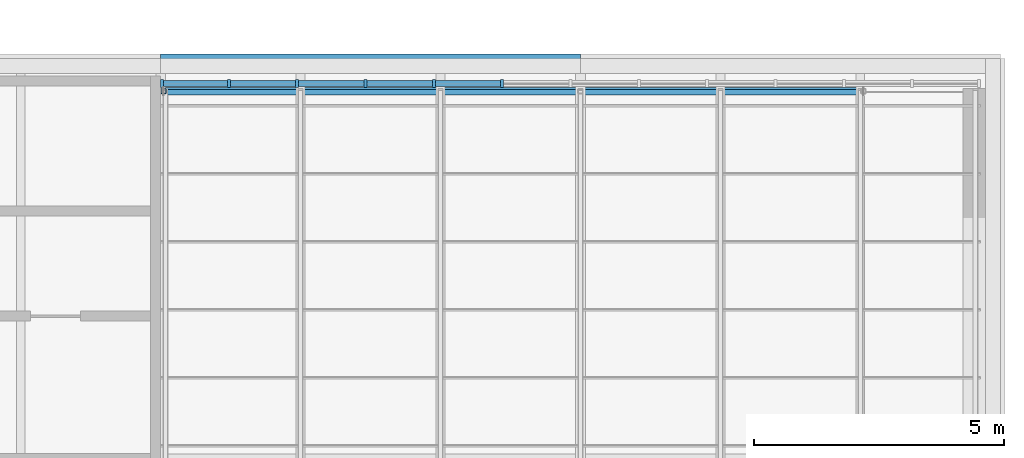
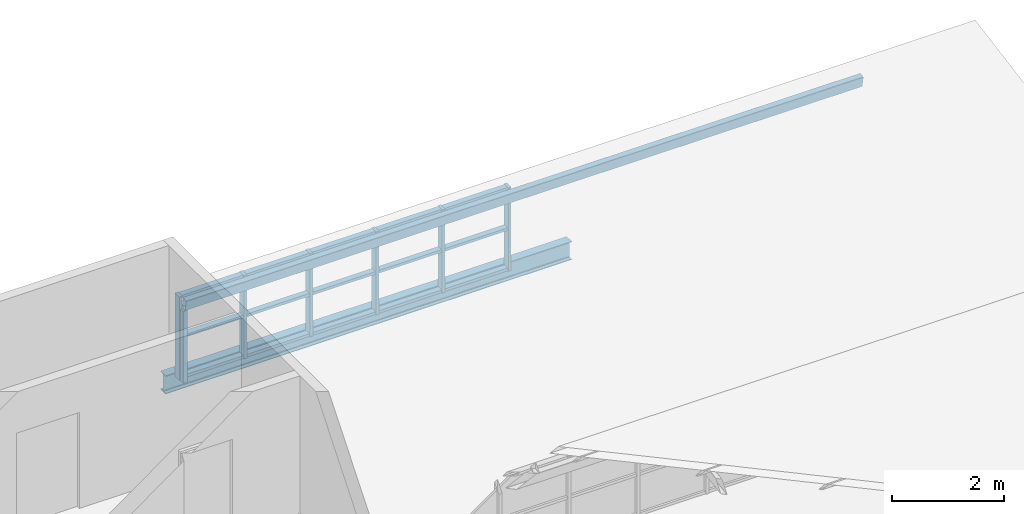
# One storey, part 12 of 33: 22 members, 2 beams, 1 element without a shape of its own.
"""IFC4 building model written with IfcOpenShell, lengths in metres."""

from ifc_helpers import new_model, si_unit, direction, frame, origin, origin_2d, place, context, subcontext, project, spatial, rectangle, hollow_rectangle, i_section, extrude, material, layer, layer_set, material_profile, profile_set, type_object, element, aggregate, save


model = new_model("IFC4")

# Units and contexts
model_context = context("Model", 3, precision=1e-05, world=origin(), true_north=direction((0.0, 1.0)))
body_context = subcontext(model_context, "Body", "Model", "MODEL_VIEW")
ifc_project = project(units=[si_unit("LENGTHUNIT", "METRE"), si_unit("AREAUNIT", "SQUARE_METRE"), si_unit("VOLUMEUNIT", "CUBIC_METRE"), si_unit("PLANEANGLEUNIT", "RADIAN"), si_unit("MASSUNIT", "GRAM", prefix="KILO")], contexts=[model_context])

# Site, building, storey
site_placement = place(None, origin())
site = spatial("IfcSite", under=ifc_project, at=site_placement, CompositionType="ELEMENT")
building_placement = place(site_placement, origin())
building = spatial("IfcBuilding", under=site, at=building_placement, Name="Ardhachandra Cancer Care Centre", CompositionType="ELEMENT")
storey_placement = place(building_placement, frame((0.0, 0.0, 27.0)))
storey = spatial("IfcBuildingStorey", under=building, at=storey_placement, Name="Roof", CompositionType="ELEMENT", Elevation=27.0)

# Beam
ifc_material_1 = material(Name="Steel E350 (IS 2062)", Category="steel")
ifc_material_profile_1 = material_profile(ifc_material_1, i_section(OverallWidth=0.179931640625, OverallDepth=0.39990234375, WebThickness=0.008544921875, FlangeThickness=0.013427734375, FilletRadius=0.02099609375, at=origin_2d()), Name="NPB 400x180x66.30")
ifc_profile_set_1 = profile_set([ifc_material_profile_1], Name="Steel E350 (IS 2062)")
beam_type_1 = type_object("IfcBeamType", Name="Beam NPB 400x180x66.30", PredefinedType="BEAM", material=ifc_profile_set_1)
beam_1_placement = place(storey_placement, frame((128.39990234375, 105.0, -0.39990234375), z_axis=(1.0, 0.0, 0.0), x_axis=(0.0, 1.0, 0.0)))
element("IfcBeam", 1, at=beam_1_placement, inside=storey, type_object=beam_type_1, Name="Edge girder M15-M16", PredefinedType="BEAM", context=body_context, shape_type="SweptSolid", body=[
    extrude(i_section(OverallWidth=0.179931640625, OverallDepth=0.39990234375, WebThickness=0.008544921875, FlangeThickness=0.013427734375, FilletRadius=0.02099609375, at=origin_2d()), origin(), (0.0, 0.0, 1.0), 8.400146484375),
])

# Curtain wall, members
ifc_material_2 = material(Name="Aluminium extrusion", Category="aluminium")
ifc_layer = layer(ifc_material_2, 0.14990234375)
ifc_layer_set = layer_set([ifc_layer], Name="Aluminium extrusion")
curtain_wall_type = type_object("IfcCurtainWallType", Name="Curtain wall run", PredefinedType="NOTDEFINED", material=ifc_layer_set)
curtain_wall_placement = place(storey_placement, origin())
curtain_wall = element("IfcCurtainWall", 2, at=curtain_wall_placement, inside=storey, type_object=curtain_wall_type, Name="Curtain wall Roof n/0128400_0104500", PredefinedType="NOTDEFINED")
ifc_material_3 = material(Name="Aluminium extrusion", Category="aluminium")
ifc_material_profile_2 = material_profile(ifc_material_3, rectangle(XDim=0.159912109375, YDim=0.06005859375, at=origin_2d()), Name="Curtain wall mullion 60 x 160")
ifc_profile_set_2 = profile_set([ifc_material_profile_2], Name="Aluminium extrusion")
member_type_1 = type_object("IfcMemberType", Name="Curtain wall mullion 60 x 160", PredefinedType="MULLION", material=ifc_profile_set_2)
member_1_placement = place(storey_placement, frame((128.429931640625, 104.5, 0.0), z_axis=(0.0, 0.0, 1.0), x_axis=(0.0, 1.0, 0.0)))
member_1 = element("IfcMember", 3, at=member_1_placement, type_object=member_type_1, Name="CW mullion 1", PredefinedType="MULLION", context=body_context, shape_type="SweptSolid", body=[
    extrude(rectangle(XDim=0.159912109375, YDim=0.06005859375, at=origin_2d()), origin(), (0.0, 0.0, 1.0), 1.820068359375),
])
member_2_placement = place(storey_placement, frame((129.7666015625, 104.5, 0.0), z_axis=(0.0, 0.0, 1.0), x_axis=(0.0, 1.0, 0.0)))
member_2 = element("IfcMember", 4, at=member_2_placement, type_object=member_type_1, Name="CW mullion 2", PredefinedType="MULLION", context=body_context, shape_type="SweptSolid", body=[
    extrude(rectangle(XDim=0.159912109375, YDim=0.06005859375, at=origin_2d()), origin(), (0.0, 0.0, 1.0), 1.820068359375),
])
member_3_placement = place(storey_placement, frame((131.13330078125, 104.5, 0.0), z_axis=(0.0, 0.0, 1.0), x_axis=(0.0, 1.0, 0.0)))
member_3 = element("IfcMember", 5, at=member_3_placement, type_object=member_type_1, Name="CW mullion 3", PredefinedType="MULLION", context=body_context, shape_type="SweptSolid", body=[
    extrude(rectangle(XDim=0.159912109375, YDim=0.06005859375, at=origin_2d()), origin(), (0.0, 0.0, 1.0), 1.820068359375),
])
member_4_placement = place(storey_placement, frame((132.5, 104.5, 0.0), z_axis=(0.0, 0.0, 1.0), x_axis=(0.0, 1.0, 0.0)))
member_4 = element("IfcMember", 6, at=member_4_placement, type_object=member_type_1, Name="CW mullion 4", PredefinedType="MULLION", context=body_context, shape_type="SweptSolid", body=[
    extrude(rectangle(XDim=0.159912109375, YDim=0.06005859375, at=origin_2d()), origin(), (0.0, 0.0, 1.0), 1.820068359375),
])
member_5_placement = place(storey_placement, frame((133.86669921875, 104.5, 0.0), z_axis=(0.0, 0.0, 1.0), x_axis=(0.0, 1.0, 0.0)))
member_5 = element("IfcMember", 7, at=member_5_placement, type_object=member_type_1, Name="CW mullion 5", PredefinedType="MULLION", context=body_context, shape_type="SweptSolid", body=[
    extrude(rectangle(XDim=0.159912109375, YDim=0.06005859375, at=origin_2d()), origin(), (0.0, 0.0, 1.0), 1.820068359375),
])
member_6_placement = place(storey_placement, frame((135.2333984375, 104.5, 0.0), z_axis=(0.0, 0.0, 1.0), x_axis=(0.0, 1.0, 0.0)))
member_6 = element("IfcMember", 8, at=member_6_placement, type_object=member_type_1, Name="CW mullion 6", PredefinedType="MULLION", context=body_context, shape_type="SweptSolid", body=[
    extrude(rectangle(XDim=0.159912109375, YDim=0.06005859375, at=origin_2d()), origin(), (0.0, 0.0, 1.0), 1.820068359375),
])
ifc_material_4 = material(Name="Aluminium extrusion", Category="aluminium")
ifc_material_profile_3 = material_profile(ifc_material_4, rectangle(XDim=0.1201171875, YDim=0.06005859375, at=origin_2d()), Name="Curtain wall transom 60 x 120")
ifc_profile_set_3 = profile_set([ifc_material_profile_3], Name="Aluminium extrusion")
member_type_2 = type_object("IfcMemberType", Name="Curtain wall transom 60 x 120", PredefinedType="USERDEFINED", material=ifc_profile_set_3)
member_7_placement = place(storey_placement, frame((128.4599609375, 104.5, 0.030029296875), z_axis=(1.0, 0.0, 0.0), x_axis=(0.0, 1.0, 0.0)))
member_7 = element("IfcMember", 9, at=member_7_placement, type_object=member_type_2, Name="CW transom 1.1", ObjectType="TRANSOM", PredefinedType="USERDEFINED", context=body_context, shape_type="SweptSolid", body=[
    extrude(rectangle(XDim=0.1201171875, YDim=0.06005859375, at=origin_2d()), origin(), (0.0, 0.0, 1.0), 1.276611328125),
])
member_8_placement = place(storey_placement, frame((128.4599609375, 104.5, 0.909912109375), z_axis=(1.0, 0.0, 0.0), x_axis=(0.0, 1.0, 0.0)))
member_8 = element("IfcMember", 10, at=member_8_placement, type_object=member_type_2, Name="CW transom 1.2", ObjectType="TRANSOM", PredefinedType="USERDEFINED", context=body_context, shape_type="SweptSolid", body=[
    extrude(rectangle(XDim=0.1201171875, YDim=0.06005859375, at=origin_2d()), origin(), (0.0, 0.0, 1.0), 1.276611328125),
])
member_9_placement = place(storey_placement, frame((128.4599609375, 104.5, 1.7900390625), z_axis=(1.0, 0.0, 0.0), x_axis=(0.0, 1.0, 0.0)))
member_9 = element("IfcMember", 11, at=member_9_placement, type_object=member_type_2, Name="CW transom 1.3", ObjectType="TRANSOM", PredefinedType="USERDEFINED", context=body_context, shape_type="SweptSolid", body=[
    extrude(rectangle(XDim=0.1201171875, YDim=0.06005859375, at=origin_2d()), origin(), (0.0, 0.0, 1.0), 1.276611328125),
])
member_10_placement = place(storey_placement, frame((129.796630859375, 104.5, 0.030029296875), z_axis=(1.0, 0.0, 0.0), x_axis=(0.0, 1.0, 0.0)))
member_10 = element("IfcMember", 12, at=member_10_placement, type_object=member_type_2, Name="CW transom 2.1", ObjectType="TRANSOM", PredefinedType="USERDEFINED", context=body_context, shape_type="SweptSolid", body=[
    extrude(rectangle(XDim=0.1201171875, YDim=0.06005859375, at=origin_2d()), origin(), (0.0, 0.0, 1.0), 1.306640625),
])
member_11_placement = place(storey_placement, frame((129.796630859375, 104.5, 0.909912109375), z_axis=(1.0, 0.0, 0.0), x_axis=(0.0, 1.0, 0.0)))
member_11 = element("IfcMember", 13, at=member_11_placement, type_object=member_type_2, Name="CW transom 2.2", ObjectType="TRANSOM", PredefinedType="USERDEFINED", context=body_context, shape_type="SweptSolid", body=[
    extrude(rectangle(XDim=0.1201171875, YDim=0.06005859375, at=origin_2d()), origin(), (0.0, 0.0, 1.0), 1.306640625),
])
member_12_placement = place(storey_placement, frame((129.796630859375, 104.5, 1.7900390625), z_axis=(1.0, 0.0, 0.0), x_axis=(0.0, 1.0, 0.0)))
member_12 = element("IfcMember", 14, at=member_12_placement, type_object=member_type_2, Name="CW transom 2.3", ObjectType="TRANSOM", PredefinedType="USERDEFINED", context=body_context, shape_type="SweptSolid", body=[
    extrude(rectangle(XDim=0.1201171875, YDim=0.06005859375, at=origin_2d()), origin(), (0.0, 0.0, 1.0), 1.306640625),
])
member_13_placement = place(storey_placement, frame((131.163330078125, 104.5, 0.030029296875), z_axis=(1.0, 0.0, 0.0), x_axis=(0.0, 1.0, 0.0)))
member_13 = element("IfcMember", 15, at=member_13_placement, type_object=member_type_2, Name="CW transom 3.1", ObjectType="TRANSOM", PredefinedType="USERDEFINED", context=body_context, shape_type="SweptSolid", body=[
    extrude(rectangle(XDim=0.1201171875, YDim=0.06005859375, at=origin_2d()), origin(), (0.0, 0.0, 1.0), 1.306640625),
])
member_14_placement = place(storey_placement, frame((131.163330078125, 104.5, 0.909912109375), z_axis=(1.0, 0.0, 0.0), x_axis=(0.0, 1.0, 0.0)))
member_14 = element("IfcMember", 16, at=member_14_placement, type_object=member_type_2, Name="CW transom 3.2", ObjectType="TRANSOM", PredefinedType="USERDEFINED", context=body_context, shape_type="SweptSolid", body=[
    extrude(rectangle(XDim=0.1201171875, YDim=0.06005859375, at=origin_2d()), origin(), (0.0, 0.0, 1.0), 1.306640625),
])
member_15_placement = place(storey_placement, frame((131.163330078125, 104.5, 1.7900390625), z_axis=(1.0, 0.0, 0.0), x_axis=(0.0, 1.0, 0.0)))
member_15 = element("IfcMember", 17, at=member_15_placement, type_object=member_type_2, Name="CW transom 3.3", ObjectType="TRANSOM", PredefinedType="USERDEFINED", context=body_context, shape_type="SweptSolid", body=[
    extrude(rectangle(XDim=0.1201171875, YDim=0.06005859375, at=origin_2d()), origin(), (0.0, 0.0, 1.0), 1.306640625),
])
member_16_placement = place(storey_placement, frame((132.530029296875, 104.5, 0.030029296875), z_axis=(1.0, 0.0, 0.0), x_axis=(0.0, 1.0, 0.0)))
member_16 = element("IfcMember", 18, at=member_16_placement, type_object=member_type_2, Name="CW transom 4.1", ObjectType="TRANSOM", PredefinedType="USERDEFINED", context=body_context, shape_type="SweptSolid", body=[
    extrude(rectangle(XDim=0.1201171875, YDim=0.06005859375, at=origin_2d()), origin(), (0.0, 0.0, 1.0), 1.306640625),
])
member_17_placement = place(storey_placement, frame((132.530029296875, 104.5, 0.909912109375), z_axis=(1.0, 0.0, 0.0), x_axis=(0.0, 1.0, 0.0)))
member_17 = element("IfcMember", 19, at=member_17_placement, type_object=member_type_2, Name="CW transom 4.2", ObjectType="TRANSOM", PredefinedType="USERDEFINED", context=body_context, shape_type="SweptSolid", body=[
    extrude(rectangle(XDim=0.1201171875, YDim=0.06005859375, at=origin_2d()), origin(), (0.0, 0.0, 1.0), 1.306640625),
])
member_18_placement = place(storey_placement, frame((132.530029296875, 104.5, 1.7900390625), z_axis=(1.0, 0.0, 0.0), x_axis=(0.0, 1.0, 0.0)))
member_18 = element("IfcMember", 20, at=member_18_placement, type_object=member_type_2, Name="CW transom 4.3", ObjectType="TRANSOM", PredefinedType="USERDEFINED", context=body_context, shape_type="SweptSolid", body=[
    extrude(rectangle(XDim=0.1201171875, YDim=0.06005859375, at=origin_2d()), origin(), (0.0, 0.0, 1.0), 1.306640625),
])
member_19_placement = place(storey_placement, frame((133.896728515625, 104.5, 0.030029296875), z_axis=(1.0, 0.0, 0.0), x_axis=(0.0, 1.0, 0.0)))
member_19 = element("IfcMember", 21, at=member_19_placement, type_object=member_type_2, Name="CW transom 5.1", ObjectType="TRANSOM", PredefinedType="USERDEFINED", context=body_context, shape_type="SweptSolid", body=[
    extrude(rectangle(XDim=0.1201171875, YDim=0.06005859375, at=origin_2d()), origin(), (0.0, 0.0, 1.0), 1.306640625),
])
member_20_placement = place(storey_placement, frame((133.896728515625, 104.5, 0.909912109375), z_axis=(1.0, 0.0, 0.0), x_axis=(0.0, 1.0, 0.0)))
member_20 = element("IfcMember", 22, at=member_20_placement, type_object=member_type_2, Name="CW transom 5.2", ObjectType="TRANSOM", PredefinedType="USERDEFINED", context=body_context, shape_type="SweptSolid", body=[
    extrude(rectangle(XDim=0.1201171875, YDim=0.06005859375, at=origin_2d()), origin(), (0.0, 0.0, 1.0), 1.306640625),
])
member_21_placement = place(storey_placement, frame((133.896728515625, 104.5, 1.7900390625), z_axis=(1.0, 0.0, 0.0), x_axis=(0.0, 1.0, 0.0)))
member_21 = element("IfcMember", 23, at=member_21_placement, type_object=member_type_2, Name="CW transom 5.3", ObjectType="TRANSOM", PredefinedType="USERDEFINED", context=body_context, shape_type="SweptSolid", body=[
    extrude(rectangle(XDim=0.1201171875, YDim=0.06005859375, at=origin_2d()), origin(), (0.0, 0.0, 1.0), 1.306640625),
])
aggregate(curtain_wall, [member_1, member_2, member_3, member_4, member_5, member_6, member_7, member_8, member_9, member_10, member_11, member_12, member_13, member_14, member_15, member_16, member_17, member_18, member_19, member_20, member_21])

# Beam
ifc_material_5 = material(Name="Steel E350 (IS 2062)", Category="steel")
ifc_material_profile_4 = material_profile(ifc_material_5, hollow_rectangle(XDim=0.1201171875, YDim=0.239990234375, WallThickness=0.006103515625, InnerFilletRadius=0.006103515625, OuterFilletRadius=0.011962890625, at=origin_2d()), Name="RHS 240x120x6.0")
ifc_profile_set_4 = profile_set([ifc_material_profile_4], Name="Steel E350 (IS 2062)")
beam_type_2 = type_object("IfcBeamType", Name="Sawtooth ridge beam RHS 240x120x6.0", PredefinedType="BEAM", material=ifc_profile_set_4)
beam_2_placement = place(storey_placement, frame((128.4599609375, 104.35009765625, 1.689208984375), z_axis=(1.0, 0.0, 0.0), x_axis=(0.0, 0.984460447526, 0.175606455623)))
element("IfcBeam", 24, at=beam_2_placement, inside=storey, type_object=beam_type_2, Name="Ridge beam ST3a", PredefinedType="BEAM", context=body_context, shape_type="SweptSolid", body=[
    extrude(hollow_rectangle(XDim=0.1201171875, YDim=0.239990234375, WallThickness=0.006103515625, InnerFilletRadius=0.006103515625, OuterFilletRadius=0.011962890625, at=origin_2d()), origin(), (0.0, 0.0, 1.0), 14.0),
])

# Member
ifc_material_6 = material(Name="Steel E350 (IS 2062)", Category="steel")
ifc_material_profile_5 = material_profile(ifc_material_6, hollow_rectangle(XDim=0.10009765625, YDim=0.10009765625, WallThickness=0.0048828125, InnerFilletRadius=0.0048828125, OuterFilletRadius=0.010009765625, at=origin_2d()), Name="SHS 100x100x5.0")
ifc_profile_set_5 = profile_set([ifc_material_profile_5], Name="Steel E350 (IS 2062)")
member_type_3 = type_object("IfcMemberType", Name="Sawtooth ridge post SHS 100x100x5.0", PredefinedType="POST", material=ifc_profile_set_5)
member_22_placement = place(storey_placement, frame((128.4599609375, 104.35009765625, 0.0), z_axis=(0.0, 0.0, 1.0), x_axis=(1.0, 0.0, 0.0)))
element("IfcMember", 25, at=member_22_placement, inside=storey, type_object=member_type_3, Name="Ridge post ST3a.1", PredefinedType="POST", context=body_context, shape_type="SweptSolid", body=[
    extrude(hollow_rectangle(XDim=0.10009765625, YDim=0.10009765625, WallThickness=0.0048828125, InnerFilletRadius=0.0048828125, OuterFilletRadius=0.010009765625, at=origin_2d()), origin(), (0.0, 0.0, 1.0), 1.569091796875),
])

save(model, "model.ifc")
